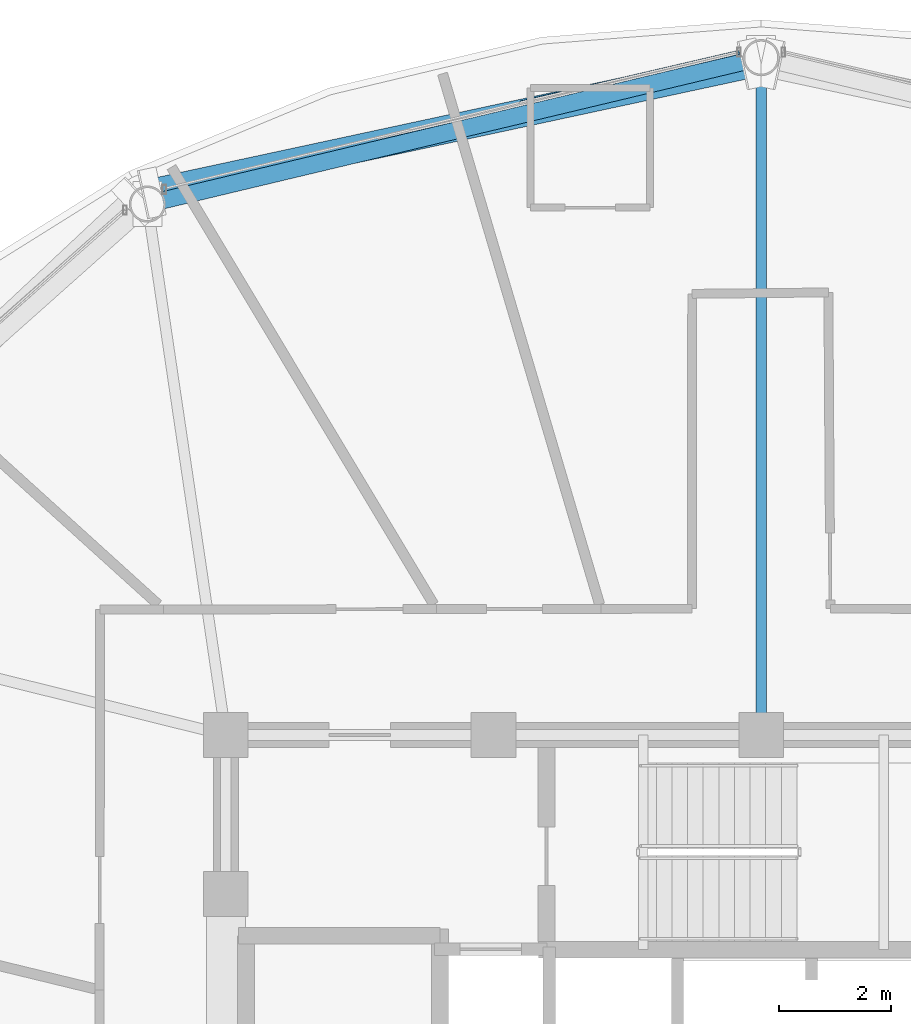
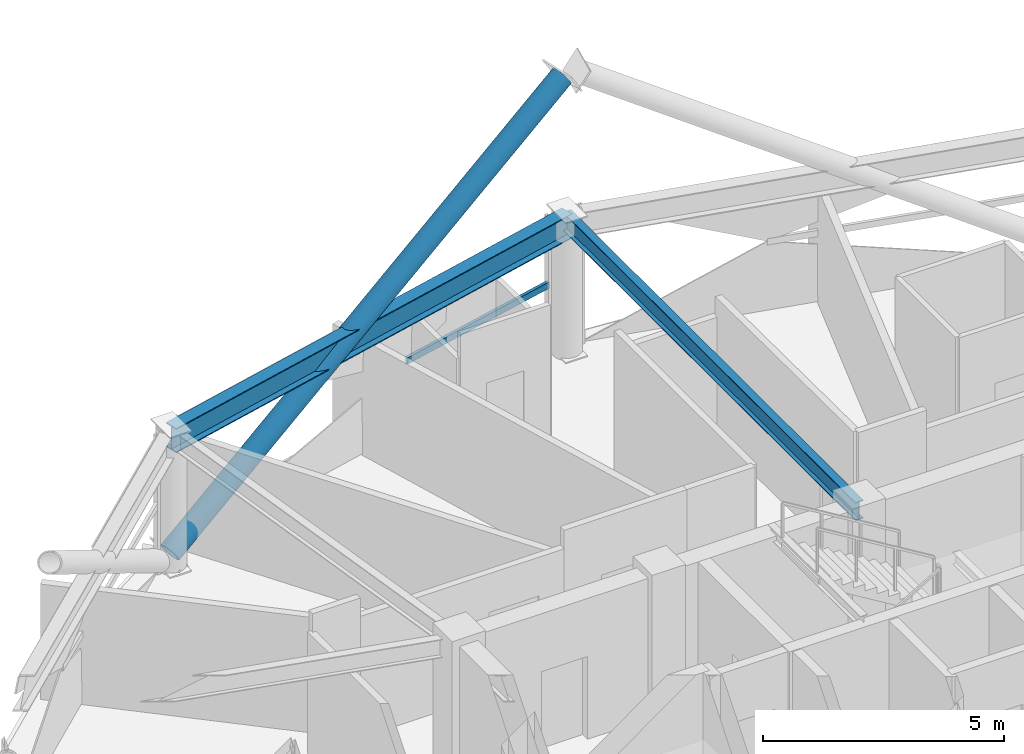
# One storey, part 17 of 29: 2 beams, 2 members, 1 element without a shape of its own.
"""IFC4 building model written with IfcOpenShell, lengths in metres."""

from ifc_helpers import new_model, si_unit, direction, frame, origin, origin_2d, place, context, subcontext, project, spatial, hollow_rectangle, hollow_circle, i_section, extrude, material, layer, layer_set, material_profile, profile_set, type_object, element, aggregate, save


model = new_model("IFC4")

# Units and contexts
model_context = context("Model", 3, precision=1e-05, world=origin(), true_north=direction((0.0, 1.0)))
body_context = subcontext(model_context, "Body", "Model", "MODEL_VIEW")
ifc_project = project(units=[si_unit("LENGTHUNIT", "METRE"), si_unit("AREAUNIT", "SQUARE_METRE"), si_unit("VOLUMEUNIT", "CUBIC_METRE"), si_unit("PLANEANGLEUNIT", "RADIAN"), si_unit("MASSUNIT", "GRAM", prefix="KILO")], contexts=[model_context])

# Site, building, storey
site_placement = place(None, origin())
site = spatial("IfcSite", under=ifc_project, at=site_placement, CompositionType="ELEMENT")
building_placement = place(site_placement, origin())
building = spatial("IfcBuilding", under=site, at=building_placement, Name="Vantalir Tower", CompositionType="ELEMENT")
storey_placement = place(building_placement, frame((0.0, 0.0, 227.39990234375)))
storey = spatial("IfcBuildingStorey", under=building, at=storey_placement, Name="L57", CompositionType="ELEMENT", Elevation=227.39990234375)

# Beams
ifc_material_1 = material(Name="Steel S355", Category="steel")
ifc_material_profile_1 = material_profile(ifc_material_1, i_section(OverallWidth=0.19189453125, OverallDepth=0.462890625, WebThickness=0.010498046875, FlangeThickness=0.017578125, at=origin_2d()), Name="Steel S355")
ifc_profile_set_1 = profile_set([ifc_material_profile_1], Name="Steel S355")
beam_type_1 = type_object("IfcBeamType", Name="BM-RB-457x191", PredefinedType="BEAM", material=ifc_profile_set_1)
beam_1_placement = place(storey_placement, frame((31.5, 44.595947265625, 3.338134765625), z_axis=(0.0, -1.0, 0.0), x_axis=(1.0, 0.0, 0.0)))
element("IfcBeam", 1, at=beam_1_placement, inside=storey, type_object=beam_type_1, Name="L57 Radial Floor Beam 04", PredefinedType="BEAM", context=body_context, shape_type="SweptSolid", body=[
    extrude(i_section(OverallWidth=0.19189453125, OverallDepth=0.462890625, WebThickness=0.010498046875, FlangeThickness=0.017578125, at=origin_2d()), origin(), (0.0, 0.0, 1.0), 12.14599609375),
])
ifc_material_2 = material(Name="Steel S460", Category="steel")
ifc_material_profile_2 = material_profile(ifc_material_2, i_section(OverallWidth=0.306884765625, OverallDepth=0.6201171875, WebThickness=0.01416015625, FlangeThickness=0.023681640625, at=origin_2d()), Name="Steel S460")
ifc_profile_set_2 = profile_set([ifc_material_profile_2], Name="Steel S460")
beam_type_2 = type_object("IfcBeamType", Name="BM-RG-610x305", PredefinedType="USERDEFINED", material=ifc_profile_set_2)
beam_2_placement = place(storey_placement, frame((31.5, 44.595947265625, 3.260009765625), z_axis=(-0.972716546071, -0.231996812479, 0.0), x_axis=(0.231996812479, -0.972716546071, 0.0)))
element("IfcBeam", 2, at=beam_2_placement, inside=storey, type_object=beam_type_2, Name="L57 Circumferential Ring Girder 04", ObjectType="GIRDER", PredefinedType="USERDEFINED", context=body_context, shape_type="SweptSolid", body=[
    extrude(i_section(OverallWidth=0.306884765625, OverallDepth=0.6201171875, WebThickness=0.01416015625, FlangeThickness=0.023681640625, at=origin_2d()), origin(), (0.0, 0.0, 1.0), 11.314697265625),
])

# Curtain wall, member
ifc_material_3 = material(Name="Champagne-silver PVDF aluminium and double-silver Low-E glass", Category="aluminium")
ifc_layer = layer(ifc_material_3, 0.2099609375)
ifc_layer_set = layer_set([ifc_layer], Name="Champagne-silver PVDF aluminium and double-silver Low-E glass")
curtain_wall_type = type_object("IfcCurtainWallType", Name="CW-DIAMOND-Z3", PredefinedType="USERDEFINED", material=ifc_layer_set)
curtain_wall_placement = place(storey_placement, origin())
curtain_wall = element("IfcCurtainWall", 3, at=curtain_wall_placement, inside=storey, type_object=curtain_wall_type, Name="L57 Quilted Pyramid-Diamond Curtain Wall S04", ObjectType="UNITISED CURTAIN WALL", PredefinedType="USERDEFINED")
ifc_material_4 = material(Name="Champagne-silver PVDF aluminium 6063-T6", Category="aluminium")
ifc_material_profile_3 = material_profile(ifc_material_4, hollow_rectangle(XDim=0.074951171875, YDim=0.159912109375, WallThickness=0.00390625, at=origin_2d()), Name="Champagne-silver PVDF aluminium 6063-T6")
ifc_profile_set_3 = profile_set([ifc_material_profile_3], Name="Champagne-silver PVDF aluminium 6063-T6")
member_type_1 = type_object("IfcMemberType", Name="CWT-160x75", PredefinedType="USERDEFINED", material=ifc_profile_set_3)
member_1_placement = place(storey_placement, frame((31.10107421875, 44.69091796875, 1.78515625), z_axis=(-0.973997132863, -0.226560334511, 0.0), x_axis=(0.226560334511, -0.973997132863, 0.0)))
member_1 = element("IfcMember", 4, at=member_1_placement, type_object=member_type_1, Name="CW-L57-S04 Pyramid Fold Ridge Transom", ObjectType="TRANSOM", PredefinedType="USERDEFINED", context=body_context, shape_type="SweptSolid", body=[
    extrude(hollow_rectangle(XDim=0.074951171875, YDim=0.159912109375, WallThickness=0.00390625, at=origin_2d()), origin(), (0.0, 0.0, 1.0), 4.02490234375),
])
aggregate(curtain_wall, [member_1])

# Member
ifc_material_profile_4 = material_profile(ifc_material_2, hollow_circle(Radius=0.25, WallThickness=0.031982421875, at=origin_2d()), Name="Steel S460")
ifc_profile_set_4 = profile_set([ifc_material_profile_4], Name="Steel S460")
member_type_2 = type_object("IfcMemberType", Name="MEM-DB-500x32", PredefinedType="BRACE", material=ifc_profile_set_4)
member_2_placement = place(storey_placement, frame((20.5810546875, 42.174072265625, 0.197021484375), z_axis=(0.82693255486, 0.177894197265, 0.533419351254), x_axis=(-0.21031388743, 0.977633913464, 0.0)))
element("IfcMember", 5, at=member_2_placement, inside=storey, type_object=member_type_2, Name="L57 Perimeter S460 Diagrid Brace R13R", PredefinedType="BRACE", context=body_context, shape_type="SweptSolid", body=[
    extrude(hollow_circle(Radius=0.25, WallThickness=0.031982421875, at=origin_2d()), origin(), (0.0, 0.0, 1.0), 12.984130859375),
])

save(model, "model.ifc")
